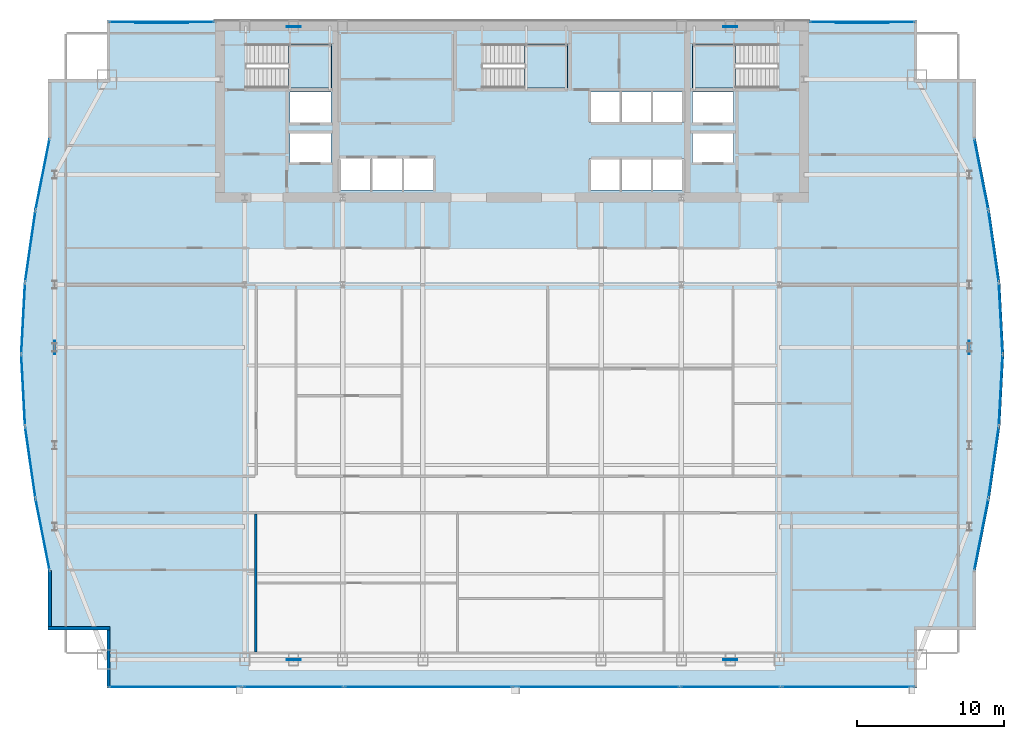
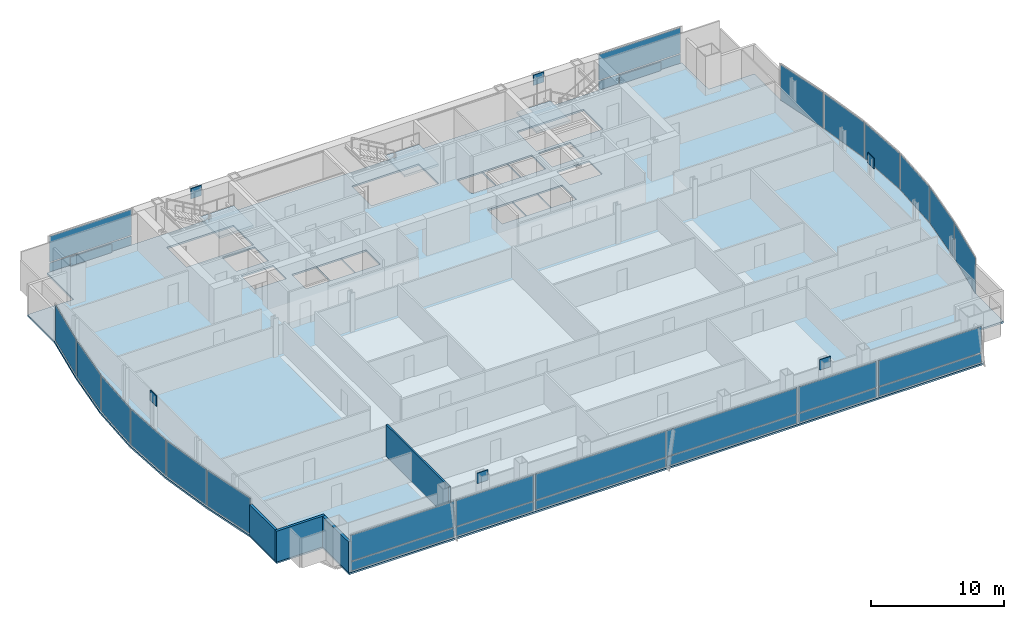
# One storey, part 23 of 29: 36 plates, 4 slabs, 4 walls, 22 elements without a shape of their own.
"""IFC4 building model written with IfcOpenShell, lengths in metres."""

from ifc_helpers import new_model, si_unit, direction, frame, frame_2d, origin, origin_2d, place, context, subcontext, project, spatial, polyline, rectangle, outline, extrude, material, layer, layer_set, type_object, element, aggregate, save


model = new_model("IFC4")

# Units and contexts
model_context = context("Model", 3, precision=1e-05, world=origin(), true_north=direction((0.0, 1.0)))
body_context = subcontext(model_context, "Body", "Model", "MODEL_VIEW")
ifc_project = project(units=[si_unit("LENGTHUNIT", "METRE"), si_unit("AREAUNIT", "SQUARE_METRE"), si_unit("VOLUMEUNIT", "CUBIC_METRE"), si_unit("PLANEANGLEUNIT", "RADIAN"), si_unit("MASSUNIT", "GRAM", prefix="KILO")], contexts=[model_context])

# Site, building, storey
site_placement = place(None, origin())
site = spatial("IfcSite", under=ifc_project, at=site_placement, CompositionType="ELEMENT")
building_placement = place(site_placement, origin())
building = spatial("IfcBuilding", under=site, at=building_placement, Name="Khoronbel Lancet Exchange", CompositionType="ELEMENT")
storey_placement = place(building_placement, frame((0.0, 0.0, 154.199951171875)))
storey = spatial("IfcBuildingStorey", under=building, at=storey_placement, Name="L38", CompositionType="ELEMENT", Elevation=154.199951171875)

# Curtain wall, plate
ifc_material_1 = material(Name="Low-E Solar Control Insulating Glass", Category="glass")
curtain_wall_type_1 = type_object("IfcCurtainWallType", Name="CW-4", PredefinedType="NOTDEFINED", material=ifc_material_1)
curtain_wall_1_placement = place(storey_placement, origin())
curtain_wall_1 = element("IfcCurtainWall", 1, at=curtain_wall_1_placement, inside=storey, type_object=curtain_wall_type_1, Name="Unitised curtain wall CW-L38-E05", PredefinedType="NOTDEFINED")
ifc_material_2 = material(Name="Bronze-Anodised Aluminium 6063-T6", Category="aluminium")
ifc_layer_1 = layer(ifc_material_2, 0.050048828125, Name="Bronze-Anodised Aluminium 6063-T6")
ifc_layer_set_1 = layer_set([ifc_layer_1], Name="Bronze-Anodised Aluminium 6063-T6")
plate_type_1 = type_object("IfcPlateType", Name="PLT-CSP1", PredefinedType="SHEET", material=ifc_layer_set_1)
plate_1_placement = place(storey_placement, frame((3.6142578125, 23.5869140625, 0.0849609375), z_axis=(0.0, 0.0, 1.0), x_axis=(-0.142930926147, 0.989732666103, 0.0)))
plate_1 = element("IfcPlate", 2, at=plate_1_placement, type_object=plate_type_1, Name="CW4 panel 1.1", PredefinedType="CURTAIN_PANEL", context=body_context, shape_type="SweptSolid", body=[
    extrude(rectangle(XDim=4.81103515625, YDim=0.0380859375, at=origin_2d()), origin(), (0.0, 0.0, 1.0), 3.27001953125),
])
aggregate(curtain_wall_1, [plate_1])

curtain_wall_2_placement = place(storey_placement, origin())
curtain_wall_2 = element("IfcCurtainWall", 3, at=curtain_wall_2_placement, inside=storey, type_object=curtain_wall_type_1, Name="Unitised curtain wall CW-L38-E06", PredefinedType="NOTDEFINED")
plate_2_placement = place(storey_placement, frame((3.1298828125, 28.49609375, 0.0849609375), z_axis=(0.0, 0.0, 1.0), x_axis=(-0.052800183936, 0.998605097412, 0.0)))
plate_2 = element("IfcPlate", 4, at=plate_2_placement, type_object=plate_type_1, Name="CW4 panel 1.1", PredefinedType="CURTAIN_PANEL", context=body_context, shape_type="SweptSolid", body=[
    extrude(rectangle(XDim=4.7646484375, YDim=0.0380859375, at=origin_2d()), origin(), (0.0, 0.0, 1.0), 3.27001953125),
])
aggregate(curtain_wall_2, [plate_2])

curtain_wall_3_placement = place(storey_placement, origin())
curtain_wall_3 = element("IfcCurtainWall", 5, at=curtain_wall_3_placement, inside=storey, type_object=curtain_wall_type_1, Name="Unitised curtain wall CW-L38-E07", PredefinedType="NOTDEFINED")
plate_3_placement = place(storey_placement, frame((3.1298828125, 33.404052734375, 0.0849609375), z_axis=(0.0, 0.0, 1.0), x_axis=(0.052800183936, 0.998605097412, 0.0)))
plate_3 = element("IfcPlate", 6, at=plate_3_placement, type_object=plate_type_1, Name="CW4 panel 1.1", PredefinedType="CURTAIN_PANEL", context=body_context, shape_type="SweptSolid", body=[
    extrude(rectangle(XDim=4.7646484375, YDim=0.0380859375, at=origin_2d()), origin(), (0.0, 0.0, 1.0), 3.27001953125),
])
aggregate(curtain_wall_3, [plate_3])

curtain_wall_4_placement = place(storey_placement, origin())
curtain_wall_4 = element("IfcCurtainWall", 7, at=curtain_wall_4_placement, inside=storey, type_object=curtain_wall_type_1, Name="Unitised curtain wall CW-L38-E08", PredefinedType="NOTDEFINED")
plate_4_placement = place(storey_placement, frame((3.6142578125, 38.31298828125, 0.0849609375), z_axis=(0.0, 0.0, 1.0), x_axis=(0.142930926147, 0.989732666103, 0.0)))
plate_4 = element("IfcPlate", 8, at=plate_4_placement, type_object=plate_type_1, Name="CW4 panel 1.1", PredefinedType="CURTAIN_PANEL", context=body_context, shape_type="SweptSolid", body=[
    extrude(rectangle(XDim=4.81103515625, YDim=0.0380859375, at=origin_2d()), origin(), (0.0, 0.0, 1.0), 3.27001953125),
])
aggregate(curtain_wall_4, [plate_4])

curtain_wall_type_2 = type_object("IfcCurtainWallType", Name="CW-3", PredefinedType="NOTDEFINED", material=ifc_material_1)
curtain_wall_5_placement = place(storey_placement, origin())
curtain_wall_5 = element("IfcCurtainWall", 9, at=curtain_wall_5_placement, inside=storey, type_object=curtain_wall_type_2, Name="Unitised curtain wall CW-L38-NWFLK", PredefinedType="NOTDEFINED")
plate_5_placement = place(storey_placement, frame((12.580078125, 53.550048828125, 0.0498046875), z_axis=(0.0, 0.0, 1.0), x_axis=(-1.0, 0.0, 0.0)))
plate_5 = element("IfcPlate", 10, at=plate_5_placement, type_object=plate_type_1, Name="Insulated bronze spandrel cassette CW-L38-NWFLK", PredefinedType="SHEET", context=body_context, shape_type="SweptSolid", body=[
    extrude(rectangle(XDim=3.60009765625, YDim=0.050048828125, at=origin_2d()), origin(), (0.0, 0.0, 1.0), 0.800048828125),
])

curtain_wall_6_placement = place(storey_placement, origin())
curtain_wall_6 = element("IfcCurtainWall", 11, at=curtain_wall_6_placement, inside=storey, type_object=curtain_wall_type_2, Name="Unitised curtain wall CW-L38-NEFLK", PredefinedType="NOTDEFINED")
plate_6_placement = place(storey_placement, frame((60.320068359375, 53.550048828125, 0.0498046875), z_axis=(0.0, 0.0, 1.0), x_axis=(-1.0, 0.0, 0.0)))
plate_6 = element("IfcPlate", 12, at=plate_6_placement, type_object=plate_type_1, Name="Insulated bronze spandrel cassette CW-L38-NEFLK", PredefinedType="SHEET", context=body_context, shape_type="SweptSolid", body=[
    extrude(rectangle(XDim=3.60009765625, YDim=0.050048828125, at=origin_2d()), origin(), (0.0, 0.0, 1.0), 0.800048828125),
])

curtain_wall_7_placement = place(storey_placement, origin())
curtain_wall_7 = element("IfcCurtainWall", 13, at=curtain_wall_7_placement, inside=storey, type_object=curtain_wall_type_1, Name="Unitised curtain wall CW-L38-E18", PredefinedType="NOTDEFINED")
plate_7_placement = place(storey_placement, frame((69.28564453125, 38.31298828125, 0.0849609375), z_axis=(0.0, 0.0, 1.0), x_axis=(0.142930926147, -0.989732666103, 0.0)))
plate_7 = element("IfcPlate", 14, at=plate_7_placement, type_object=plate_type_1, Name="CW4 panel 1.1", PredefinedType="CURTAIN_PANEL", context=body_context, shape_type="SweptSolid", body=[
    extrude(rectangle(XDim=4.81103515625, YDim=0.0380859375, at=origin_2d()), origin(), (0.0, 0.0, 1.0), 3.27001953125),
])
aggregate(curtain_wall_7, [plate_7])

curtain_wall_8_placement = place(storey_placement, origin())
curtain_wall_8 = element("IfcCurtainWall", 15, at=curtain_wall_8_placement, inside=storey, type_object=curtain_wall_type_1, Name="Unitised curtain wall CW-L38-E19", PredefinedType="NOTDEFINED")
plate_8_placement = place(storey_placement, frame((69.77001953125, 33.404052734375, 0.0849609375), z_axis=(0.0, 0.0, 1.0), x_axis=(0.052800183936, -0.998605097412, 0.0)))
plate_8 = element("IfcPlate", 16, at=plate_8_placement, type_object=plate_type_1, Name="CW4 panel 1.1", PredefinedType="CURTAIN_PANEL", context=body_context, shape_type="SweptSolid", body=[
    extrude(rectangle(XDim=4.7646484375, YDim=0.0380859375, at=origin_2d()), origin(), (0.0, 0.0, 1.0), 3.27001953125),
])
aggregate(curtain_wall_8, [plate_8])

curtain_wall_9_placement = place(storey_placement, origin())
curtain_wall_9 = element("IfcCurtainWall", 17, at=curtain_wall_9_placement, inside=storey, type_object=curtain_wall_type_1, Name="Unitised curtain wall CW-L38-E20", PredefinedType="NOTDEFINED")
plate_9_placement = place(storey_placement, frame((69.77001953125, 28.49609375, 0.0849609375), z_axis=(0.0, 0.0, 1.0), x_axis=(-0.052800183936, -0.998605097412, 0.0)))
plate_9 = element("IfcPlate", 18, at=plate_9_placement, type_object=plate_type_1, Name="CW4 panel 1.1", PredefinedType="CURTAIN_PANEL", context=body_context, shape_type="SweptSolid", body=[
    extrude(rectangle(XDim=4.7646484375, YDim=0.0380859375, at=origin_2d()), origin(), (0.0, 0.0, 1.0), 3.27001953125),
])
aggregate(curtain_wall_9, [plate_9])

curtain_wall_10_placement = place(storey_placement, origin())
curtain_wall_10 = element("IfcCurtainWall", 19, at=curtain_wall_10_placement, inside=storey, type_object=curtain_wall_type_1, Name="Unitised curtain wall CW-L38-E21", PredefinedType="NOTDEFINED")
plate_10_placement = place(storey_placement, frame((69.28564453125, 23.5869140625, 0.0849609375), z_axis=(0.0, 0.0, 1.0), x_axis=(-0.142930926147, -0.989732666103, 0.0)))
plate_10 = element("IfcPlate", 20, at=plate_10_placement, type_object=plate_type_1, Name="CW4 panel 1.1", PredefinedType="CURTAIN_PANEL", context=body_context, shape_type="SweptSolid", body=[
    extrude(rectangle(XDim=4.81103515625, YDim=0.0380859375, at=origin_2d()), origin(), (0.0, 0.0, 1.0), 3.27001953125),
])
aggregate(curtain_wall_10, [plate_10])

# Curtain wall, plates
curtain_wall_11_placement = place(storey_placement, origin())
curtain_wall_11 = element("IfcCurtainWall", 21, at=curtain_wall_11_placement, inside=storey, type_object=curtain_wall_type_2, Name="Unitised curtain wall CW-L38-SWB", PredefinedType="NOTDEFINED")
plate_11_placement = place(storey_placement, frame((21.550048828125, 8.2900390625, 0.0849609375), z_axis=(0.0, 0.0, 1.0), x_axis=(1.0, 0.0, 0.0)))
plate_11 = element("IfcPlate", 22, at=plate_11_placement, type_object=plate_type_1, Name="CW3 panel 1.1", PredefinedType="CURTAIN_PANEL", context=body_context, shape_type="SweptSolid", body=[
    extrude(rectangle(XDim=6.72998046875, YDim=0.0380859375, at=origin_2d()), origin(), (0.0, 0.0, 1.0), 0.822509765625),
])
plate_12_placement = place(storey_placement, frame((21.550048828125, 8.2900390625, 0.99267578125), z_axis=(0.0, 0.0, 1.0), x_axis=(1.0, 0.0, 0.0)))
plate_12 = element("IfcPlate", 23, at=plate_12_placement, type_object=plate_type_1, Name="CW3 panel 1.2", PredefinedType="CURTAIN_PANEL", context=body_context, shape_type="SweptSolid", body=[
    extrude(rectangle(XDim=6.72998046875, YDim=0.0380859375, at=origin_2d()), origin(), (0.0, 0.0, 1.0), 2.362548828125),
])
aggregate(curtain_wall_11, [plate_11, plate_12])

curtain_wall_12_placement = place(storey_placement, origin())
curtain_wall_12 = element("IfcCurtainWall", 24, at=curtain_wall_12_placement, inside=storey, type_object=curtain_wall_type_2, Name="Unitised curtain wall CW-L38-SEB", PredefinedType="NOTDEFINED")
plate_13_placement = place(storey_placement, frame((51.35009765625, 8.2900390625, 0.0849609375), z_axis=(0.0, 0.0, 1.0), x_axis=(1.0, 0.0, 0.0)))
plate_13 = element("IfcPlate", 25, at=plate_13_placement, type_object=plate_type_1, Name="CW3 panel 1.1", PredefinedType="CURTAIN_PANEL", context=body_context, shape_type="SweptSolid", body=[
    extrude(rectangle(XDim=6.72998046875, YDim=0.0380859375, at=origin_2d()), origin(), (0.0, 0.0, 1.0), 0.822509765625),
])
plate_14_placement = place(storey_placement, frame((51.35009765625, 8.2900390625, 0.99267578125), z_axis=(0.0, 0.0, 1.0), x_axis=(1.0, 0.0, 0.0)))
plate_14 = element("IfcPlate", 26, at=plate_14_placement, type_object=plate_type_1, Name="CW3 panel 1.2", PredefinedType="CURTAIN_PANEL", context=body_context, shape_type="SweptSolid", body=[
    extrude(rectangle(XDim=6.72998046875, YDim=0.0380859375, at=origin_2d()), origin(), (0.0, 0.0, 1.0), 2.362548828125),
])
aggregate(curtain_wall_12, [plate_13, plate_14])

# Plate
ifc_layer_2 = layer(ifc_material_1, 0.035888671875, Name="Low-E Solar Control Insulating Glass")
ifc_layer_set_2 = layer_set([ifc_layer_2], Name="Low-E Solar Control Insulating Glass")
plate_type_2 = type_object("IfcPlateType", Name="PLT-CWP1", PredefinedType="CURTAIN_PANEL", material=ifc_layer_set_2)
plate_15_placement = place(storey_placement, frame((12.580078125, 53.610107421875, 0.0849609375), z_axis=(0.0, 0.0, 1.0), x_axis=(-1.0, 0.0, 0.0)))
plate_15 = element("IfcPlate", 27, at=plate_15_placement, type_object=plate_type_2, Name="CW3 panel 1.1", PredefinedType="CURTAIN_PANEL", context=body_context, shape_type="SweptSolid", body=[
    extrude(rectangle(XDim=7.110107421875, YDim=0.0380859375, at=origin_2d()), origin(), (0.0, 0.0, 1.0), 0.822509765625),
])

plate_16_placement = place(storey_placement, frame((12.580078125, 53.610107421875, 0.99267578125), z_axis=(0.0, 0.0, 1.0), x_axis=(-1.0, 0.0, 0.0)))
plate_16 = element("IfcPlate", 28, at=plate_16_placement, type_object=plate_type_2, Name="CW3 panel 1.2", PredefinedType="CURTAIN_PANEL", context=body_context, shape_type="SweptSolid", body=[
    extrude(rectangle(XDim=7.110107421875, YDim=0.0380859375, at=origin_2d()), origin(), (0.0, 0.0, 1.0), 2.362548828125),
])

aggregate(curtain_wall_5, [plate_15, plate_16, plate_5])

plate_17_placement = place(storey_placement, frame((60.320068359375, 53.610107421875, 0.0849609375), z_axis=(0.0, 0.0, 1.0), x_axis=(-1.0, 0.0, 0.0)))
plate_17 = element("IfcPlate", 29, at=plate_17_placement, type_object=plate_type_2, Name="CW3 panel 1.1", PredefinedType="CURTAIN_PANEL", context=body_context, shape_type="SweptSolid", body=[
    extrude(rectangle(XDim=7.110107421875, YDim=0.0380859375, at=origin_2d()), origin(), (0.0, 0.0, 1.0), 0.822509765625),
])

plate_18_placement = place(storey_placement, frame((60.320068359375, 53.610107421875, 0.99267578125), z_axis=(0.0, 0.0, 1.0), x_axis=(-1.0, 0.0, 0.0)))
plate_18 = element("IfcPlate", 30, at=plate_18_placement, type_object=plate_type_2, Name="CW3 panel 1.2", PredefinedType="CURTAIN_PANEL", context=body_context, shape_type="SweptSolid", body=[
    extrude(rectangle(XDim=7.110107421875, YDim=0.0380859375, at=origin_2d()), origin(), (0.0, 0.0, 1.0), 2.362548828125),
])

aggregate(curtain_wall_6, [plate_17, plate_18, plate_6])

# Curtain wall, plates
curtain_wall_13_placement = place(storey_placement, origin())
curtain_wall_13 = element("IfcCurtainWall", 31, at=curtain_wall_13_placement, inside=storey, type_object=curtain_wall_type_2, Name="Unitised curtain wall CW-L38-SWV", PredefinedType="NOTDEFINED")
plate_19_placement = place(storey_placement, frame((13.52001953125, 8.2900390625, 0.0849609375), z_axis=(0.0, 0.0, 1.0), x_axis=(1.0, 0.0, 0.0)))
plate_19 = element("IfcPlate", 32, at=plate_19_placement, type_object=plate_type_2, Name="CW3 panel 1.1", PredefinedType="CURTAIN_PANEL", context=body_context, shape_type="SweptSolid", body=[
    extrude(rectangle(XDim=8.989990234375, YDim=0.0380859375, at=origin_2d()), origin(), (0.0, 0.0, 1.0), 0.822509765625),
])
plate_20_placement = place(storey_placement, frame((13.52001953125, 8.2900390625, 0.99267578125), z_axis=(0.0, 0.0, 1.0), x_axis=(1.0, 0.0, 0.0)))
plate_20 = element("IfcPlate", 33, at=plate_20_placement, type_object=plate_type_2, Name="CW3 panel 1.2", PredefinedType="CURTAIN_PANEL", context=body_context, shape_type="SweptSolid", body=[
    extrude(rectangle(XDim=8.989990234375, YDim=0.0380859375, at=origin_2d()), origin(), (0.0, 0.0, 1.0), 2.362548828125),
])
aggregate(curtain_wall_13, [plate_19, plate_20])

curtain_wall_14_placement = place(storey_placement, origin())
curtain_wall_14 = element("IfcCurtainWall", 34, at=curtain_wall_14_placement, inside=storey, type_object=curtain_wall_type_2, Name="Unitised curtain wall CW-L38-SCV", PredefinedType="NOTDEFINED")
plate_21_placement = place(storey_placement, frame((30.746337890625, 8.2900390625, 0.0849609375), z_axis=(0.0, 0.0, 1.0), x_axis=(1.0, 0.0, 0.0)))
plate_21 = element("IfcPlate", 35, at=plate_21_placement, type_object=plate_type_2, Name="CW3 panel 1.1", PredefinedType="CURTAIN_PANEL", context=body_context, shape_type="SweptSolid", body=[
    extrude(rectangle(XDim=11.322509765625, YDim=0.0380859375, at=origin_2d()), origin(), (0.0, 0.0, 1.0), 0.822509765625),
])
plate_22_placement = place(storey_placement, frame((30.746337890625, 8.2900390625, 0.99267578125), z_axis=(0.0, 0.0, 1.0), x_axis=(1.0, 0.0, 0.0)))
plate_22 = element("IfcPlate", 36, at=plate_22_placement, type_object=plate_type_2, Name="CW3 panel 1.2", PredefinedType="CURTAIN_PANEL", context=body_context, shape_type="SweptSolid", body=[
    extrude(rectangle(XDim=11.322509765625, YDim=0.0380859375, at=origin_2d()), origin(), (0.0, 0.0, 1.0), 2.362548828125),
])
plate_23_placement = place(storey_placement, frame((42.15380859375, 8.2900390625, 0.0849609375), z_axis=(0.0, 0.0, 1.0), x_axis=(1.0, 0.0, 0.0)))
plate_23 = element("IfcPlate", 37, at=plate_23_placement, type_object=plate_type_2, Name="CW3 panel 2.1", PredefinedType="CURTAIN_PANEL", context=body_context, shape_type="SweptSolid", body=[
    extrude(rectangle(XDim=11.322509765625, YDim=0.0380859375, at=origin_2d()), origin(), (0.0, 0.0, 1.0), 0.822509765625),
])
plate_24_placement = place(storey_placement, frame((42.15380859375, 8.2900390625, 0.99267578125), z_axis=(0.0, 0.0, 1.0), x_axis=(1.0, 0.0, 0.0)))
plate_24 = element("IfcPlate", 38, at=plate_24_placement, type_object=plate_type_2, Name="CW3 panel 2.2", PredefinedType="CURTAIN_PANEL", context=body_context, shape_type="SweptSolid", body=[
    extrude(rectangle(XDim=11.322509765625, YDim=0.0380859375, at=origin_2d()), origin(), (0.0, 0.0, 1.0), 2.362548828125),
])
aggregate(curtain_wall_14, [plate_21, plate_22, plate_23, plate_24])

curtain_wall_15_placement = place(storey_placement, origin())
curtain_wall_15 = element("IfcCurtainWall", 39, at=curtain_wall_15_placement, inside=storey, type_object=curtain_wall_type_2, Name="Unitised curtain wall CW-L38-SEV", PredefinedType="NOTDEFINED")
plate_25_placement = place(storey_placement, frame((59.3798828125, 8.2900390625, 0.0849609375), z_axis=(0.0, 0.0, 1.0), x_axis=(1.0, 0.0, 0.0)))
plate_25 = element("IfcPlate", 40, at=plate_25_placement, type_object=plate_type_2, Name="CW3 panel 1.1", PredefinedType="CURTAIN_PANEL", context=body_context, shape_type="SweptSolid", body=[
    extrude(rectangle(XDim=8.989990234375, YDim=0.0380859375, at=origin_2d()), origin(), (0.0, 0.0, 1.0), 0.822509765625),
])
plate_26_placement = place(storey_placement, frame((59.3798828125, 8.2900390625, 0.99267578125), z_axis=(0.0, 0.0, 1.0), x_axis=(1.0, 0.0, 0.0)))
plate_26 = element("IfcPlate", 41, at=plate_26_placement, type_object=plate_type_2, Name="CW3 panel 1.2", PredefinedType="CURTAIN_PANEL", context=body_context, shape_type="SweptSolid", body=[
    extrude(rectangle(XDim=8.989990234375, YDim=0.0380859375, at=origin_2d()), origin(), (0.0, 0.0, 1.0), 2.362548828125),
])
aggregate(curtain_wall_15, [plate_25, plate_26])

# Curtain wall, plate
curtain_wall_16_placement = place(storey_placement, origin())
curtain_wall_16 = element("IfcCurtainWall", 42, at=curtain_wall_16_placement, inside=storey, type_object=curtain_wall_type_1, Name="Unitised curtain wall CW-L38-E04", PredefinedType="NOTDEFINED")
ifc_material_3 = material(Name="Ceramic-Fritted Laminated Insulating Glass", Category="glass")
ifc_layer_3 = layer(ifc_material_3, 0.0419921875, Name="Ceramic-Fritted Laminated Insulating Glass")
ifc_layer_set_3 = layer_set([ifc_layer_3], Name="Ceramic-Fritted Laminated Insulating Glass")
plate_type_3 = type_object("IfcPlateType", Name="PLT-CWP2", PredefinedType="CURTAIN_PANEL", material=ifc_layer_set_3)
plate_27_placement = place(storey_placement, frame((4.454345703125, 18.67041015625, 0.0849609375), z_axis=(0.0, 0.0, 1.0), x_axis=(-0.193543939735, 0.981091608053, 0.0)))
plate_27 = element("IfcPlate", 43, at=plate_27_placement, type_object=plate_type_3, Name="CW4 panel 1.1", PredefinedType="CURTAIN_PANEL", context=body_context, shape_type="SweptSolid", body=[
    extrude(rectangle(XDim=4.867919921875, YDim=0.0380859375, at=origin_2d()), origin(), (0.0, 0.0, 1.0), 3.27001953125),
])
aggregate(curtain_wall_16, [plate_27])

curtain_wall_17_placement = place(storey_placement, origin())
curtain_wall_17 = element("IfcCurtainWall", 44, at=curtain_wall_17_placement, inside=storey, type_object=curtain_wall_type_1, Name="Unitised curtain wall CW-L38-E09", PredefinedType="NOTDEFINED")
plate_28_placement = place(storey_placement, frame((4.454345703125, 43.229736328125, 0.0849609375), z_axis=(0.0, 0.0, 1.0), x_axis=(0.193543939735, 0.981091608053, 0.0)))
plate_28 = element("IfcPlate", 45, at=plate_28_placement, type_object=plate_type_3, Name="CW4 panel 1.1", PredefinedType="CURTAIN_PANEL", context=body_context, shape_type="SweptSolid", body=[
    extrude(rectangle(XDim=4.867919921875, YDim=0.0380859375, at=origin_2d()), origin(), (0.0, 0.0, 1.0), 3.27001953125),
])
aggregate(curtain_wall_17, [plate_28])

curtain_wall_18_placement = place(storey_placement, origin())
curtain_wall_18 = element("IfcCurtainWall", 46, at=curtain_wall_18_placement, inside=storey, type_object=curtain_wall_type_1, Name="Unitised curtain wall CW-L38-E17", PredefinedType="NOTDEFINED")
plate_29_placement = place(storey_placement, frame((68.445556640625, 43.229736328125, 0.0849609375), z_axis=(0.0, 0.0, 1.0), x_axis=(0.193543939735, -0.981091608053, 0.0)))
plate_29 = element("IfcPlate", 47, at=plate_29_placement, type_object=plate_type_3, Name="CW4 panel 1.1", PredefinedType="CURTAIN_PANEL", context=body_context, shape_type="SweptSolid", body=[
    extrude(rectangle(XDim=4.867919921875, YDim=0.0380859375, at=origin_2d()), origin(), (0.0, 0.0, 1.0), 3.27001953125),
])
aggregate(curtain_wall_18, [plate_29])

curtain_wall_19_placement = place(storey_placement, origin())
curtain_wall_19 = element("IfcCurtainWall", 48, at=curtain_wall_19_placement, inside=storey, type_object=curtain_wall_type_1, Name="Unitised curtain wall CW-L38-E22", PredefinedType="NOTDEFINED")
plate_30_placement = place(storey_placement, frame((68.445556640625, 18.67041015625, 0.0849609375), z_axis=(0.0, 0.0, 1.0), x_axis=(-0.193543939735, -0.981091608053, 0.0)))
plate_30 = element("IfcPlate", 49, at=plate_30_placement, type_object=plate_type_3, Name="CW4 panel 1.1", PredefinedType="CURTAIN_PANEL", context=body_context, shape_type="SweptSolid", body=[
    extrude(rectangle(XDim=4.867919921875, YDim=0.0380859375, at=origin_2d()), origin(), (0.0, 0.0, 1.0), 3.27001953125),
])
aggregate(curtain_wall_19, [plate_30])

# Plates
ifc_material_4 = material(Name="Steel S460", Category="steel")
ifc_layer_4 = layer(ifc_material_4, 0.06005859375, Name="Steel S460")
ifc_layer_set_4 = layer_set([ifc_layer_4], Name="Steel S460")
plate_type_4 = type_object("IfcPlateType", Name="PLT-ND2", PredefinedType="USERDEFINED", material=ifc_layer_set_4)
for number, where, z_axis, x_axis, name in (
    (50, (21.5625, 10.14990234375, 2.77490234375), (0.0, 0.0, 1.0), (1.0, 0.0, 0.0), "ND2 perimeter brace node gusset T12-S-W"),
    (51, (51.33740234375, 10.14990234375, 2.77490234375), (0.0, 0.0, 1.0), (1.0, 0.0, 0.0), "ND2 perimeter brace node gusset T12-S-E"),
    (52, (21.5625, 53.280029296875, 2.77490234375), (0.0, 0.0, 1.0), (1.0, 0.0, 0.0), "ND2 perimeter brace node gusset T12-N-W"),
    (53, (51.33740234375, 53.280029296875, 2.77490234375), (0.0, 0.0, 1.0), (1.0, 0.0, 0.0), "ND2 perimeter brace node gusset T12-N-E"),
    (54, (5.27001953125, 31.425048828125, 2.77490234375), (0.0, 0.0, 1.0), (0.0, 1.0, 0.0), "ND2 perimeter brace node gusset T12-W-P"),
    (55, (67.6298828125, 31.425048828125, 2.77490234375), (0.0, 0.0, 1.0), (0.0, 1.0, 0.0), "ND2 perimeter brace node gusset T12-E-P"),
):
    element("IfcPlate", number, at=place(storey_placement, frame(where, z_axis=z_axis, x_axis=x_axis)), inside=storey, type_object=plate_type_4, Name=name, ObjectType="GUSSET_PLATE", PredefinedType="USERDEFINED", context=body_context, shape_type="SweptSolid", body=[
        extrude(rectangle(XDim=0.949951171875, YDim=0.06005859375, at=origin_2d()), origin(), (0.0, 0.0, 1.0), 0.949951171875),
    ])

# Slab
ifc_material_5 = material(Name="Concrete C40/50", Category="concrete")
ifc_layer_5 = layer(ifc_material_5, 0.159912109375, Name="Concrete C40/50")
ifc_layer_set_5 = layer_set([ifc_layer_5], Name="Concrete C40/50")
slab_type_1 = type_object("IfcSlabType", Name="SL-FL160", PredefinedType="FLOOR", material=ifc_layer_set_5)
slab_1_placement = place(storey_placement, frame((0.0, 0.0, -0.159912109375)))
element("IfcSlab", 56, at=slab_1_placement, inside=storey, type_object=slab_type_1, Name="Level L38 composite structural floor slab", PredefinedType="FLOOR", context=body_context, shape_type="SweptSolid", body=[
    extrude(outline(polyline([(8.85009765625, 8.199951171875), (64.050048828125, 8.199951171875), (64.050048828125, 12.199951171875), (68.050048828125, 12.199951171875), (68.050048828125, 16.199951171875), (69.02001953125, 21.11669921875), (69.72998046875, 26.033203125), (69.989990234375, 30.949951171875), (69.72998046875, 35.86669921875), (69.02001953125, 40.783203125), (68.050048828125, 45.699951171875), (68.050048828125, 49.699951171875), (64.050048828125, 49.699951171875), (64.050048828125, 53.699951171875), (8.85009765625, 53.699951171875), (8.85009765625, 49.699951171875), (4.85009765625, 49.699951171875), (4.85009765625, 45.699951171875), (3.880126953125, 40.783203125), (3.169921875, 35.86669921875), (2.91015625, 30.949951171875), (3.169921875, 26.033203125), (3.880126953125, 21.11669921875), (4.85009765625, 16.199951171875), (4.85009765625, 12.199951171875), (8.85009765625, 12.199951171875), (8.85009765625, 8.199951171875)]), holes=[polyline([(18.324951171875, 49.1201171875), (24.14990234375, 49.1201171875), (24.14990234375, 52.10009765625), (18.324951171875, 52.10009765625), (18.324951171875, 49.1201171875)]), polyline([(48.75, 49.1201171875), (54.574951171875, 49.1201171875), (54.574951171875, 52.10009765625), (48.75, 52.10009765625), (48.75, 49.1201171875)]), polyline([(34.425048828125, 49.1201171875), (40.25, 49.1201171875), (40.25, 52.10009765625), (34.425048828125, 52.10009765625), (34.425048828125, 49.1201171875)]), polyline([(24.699951171875, 42.14990234375), (26.840087890625, 42.14990234375), (26.840087890625, 44.300048828125), (24.699951171875, 44.300048828125), (24.699951171875, 42.14990234375)]), polyline([(26.860107421875, 42.14990234375), (29.0, 42.14990234375), (29.0, 44.300048828125), (26.860107421875, 44.300048828125), (26.860107421875, 42.14990234375)]), polyline([(29.02001953125, 42.14990234375), (31.159912109375, 42.14990234375), (31.159912109375, 44.300048828125), (29.02001953125, 44.300048828125), (29.02001953125, 42.14990234375)]), polyline([(41.739990234375, 46.75), (43.8798828125, 46.75), (43.8798828125, 48.85009765625), (41.739990234375, 48.85009765625), (41.739990234375, 46.75)]), polyline([(43.89990234375, 46.75), (46.0400390625, 46.75), (46.0400390625, 48.85009765625), (43.89990234375, 48.85009765625), (43.89990234375, 46.75)]), polyline([(46.06005859375, 46.75), (48.199951171875, 46.75), (48.199951171875, 48.85009765625), (46.06005859375, 48.85009765625), (46.06005859375, 46.75)]), polyline([(41.739990234375, 42.14990234375), (43.8798828125, 42.14990234375), (43.8798828125, 44.300048828125), (41.739990234375, 44.300048828125), (41.739990234375, 42.14990234375)]), polyline([(43.89990234375, 42.14990234375), (46.0400390625, 42.14990234375), (46.0400390625, 44.300048828125), (43.89990234375, 44.300048828125), (43.89990234375, 42.14990234375)]), polyline([(46.06005859375, 42.14990234375), (48.199951171875, 42.14990234375), (48.199951171875, 44.300048828125), (46.06005859375, 44.300048828125), (46.06005859375, 42.14990234375)]), polyline([(21.300048828125, 46.75), (24.10009765625, 46.75), (24.10009765625, 48.85009765625), (21.300048828125, 48.85009765625), (21.300048828125, 46.75)]), polyline([(48.75, 46.75), (51.550048828125, 46.75), (51.550048828125, 48.85009765625), (48.75, 48.85009765625), (48.75, 46.75)]), polyline([(21.300048828125, 44.050048828125), (24.10009765625, 44.050048828125), (24.10009765625, 46.050048828125), (21.300048828125, 46.050048828125), (21.300048828125, 44.050048828125)]), polyline([(48.75, 44.050048828125), (51.550048828125, 44.050048828125), (51.550048828125, 46.050048828125), (48.75, 46.050048828125), (48.75, 44.050048828125)])]), origin(), (0.0, 0.0, 1.0), 0.159912109375),
])

# Stair, slab
stair_type = type_object("IfcStairType", Name="STR-CORE150", PredefinedType="HALF_TURN_STAIR", material=ifc_material_5)
stair_1_placement = place(storey_placement, origin())
stair_1 = element("IfcStair", 57, at=stair_1_placement, inside=storey, type_object=stair_type, Name="L38 Protected Exit Stair ST1", PredefinedType="HALF_TURN_STAIR")
ifc_layer_6 = layer(ifc_material_5, 0.199951171875, Name="Concrete C40/50")
ifc_layer_set_6 = layer_set([ifc_layer_6], Name="Concrete C40/50")
slab_type_2 = type_object("IfcSlabType", Name="SL-LND180", PredefinedType="LANDING", material=ifc_layer_set_6)
slab_2_placement = place(storey_placement, frame((0.0, 0.0, 1.60009765625)))
slab_2 = element("IfcSlab", 58, at=slab_2_placement, type_object=slab_type_2, Name="ST1 landing 1", PredefinedType="LANDING", context=body_context, shape_type="SweptSolid", body=[
    extrude(outline(polyline([(21.199951171875, 49.1201171875), (24.14990234375, 49.1201171875), (24.14990234375, 52.10009765625), (21.199951171875, 52.10009765625), (21.199951171875, 49.1201171875)])), origin(), (0.0, 0.0, 1.0), 0.199951171875),
])
aggregate(stair_1, [slab_2])

stair_2_placement = place(storey_placement, origin())
stair_2 = element("IfcStair", 59, at=stair_2_placement, inside=storey, type_object=stair_type, Name="L38 Protected Exit Stair ST2", PredefinedType="HALF_TURN_STAIR")
slab_3_placement = place(storey_placement, frame((0.0, 0.0, 1.60009765625)))
slab_3 = element("IfcSlab", 60, at=slab_3_placement, type_object=slab_type_2, Name="ST2 landing 1", PredefinedType="LANDING", context=body_context, shape_type="SweptSolid", body=[
    extrude(outline(polyline([(51.699951171875, 52.10009765625), (48.75, 52.10009765625), (48.75, 49.1201171875), (51.699951171875, 49.1201171875), (51.699951171875, 52.10009765625)])), origin(), (0.0, 0.0, 1.0), 0.199951171875),
])
aggregate(stair_2, [slab_3])

stair_3_placement = place(storey_placement, origin())
stair_3 = element("IfcStair", 61, at=stair_3_placement, inside=storey, type_object=stair_type, Name="L38 Protected Exit Stair ST3", PredefinedType="HALF_TURN_STAIR")
slab_4_placement = place(storey_placement, frame((0.0, 0.0, 1.60009765625)))
slab_4 = element("IfcSlab", 62, at=slab_4_placement, type_object=slab_type_2, Name="ST3 landing 1", PredefinedType="LANDING", context=body_context, shape_type="SweptSolid", body=[
    extrude(outline(polyline([(37.300048828125, 49.1201171875), (40.25, 49.1201171875), (40.25, 52.10009765625), (37.300048828125, 52.10009765625), (37.300048828125, 49.1201171875)])), origin(), (0.0, 0.0, 1.0), 0.199951171875),
])
aggregate(stair_3, [slab_4])

# Walls
ifc_material_6 = material(Name="Precast concrete C40/50", Category="concrete")
ifc_layer_7 = layer(ifc_material_6, 0.25, Name="Precast concrete C40/50")
ifc_layer_set_7 = layer_set([ifc_layer_7], Name="Precast concrete C40/50")
wall_type_1 = type_object("IfcWallType", Name="WL-EXT250", PredefinedType="SOLIDWALL", material=ifc_layer_set_7)
wall_1_placement = place(storey_placement, frame((8.93994140625, 8.27001953125, 0.0), z_axis=(0.0, 0.0, 1.0), x_axis=(0.0, 1.0, 0.0)))
element("IfcWall", 63, at=wall_1_placement, inside=storey, type_object=wall_type_1, Name="Level L38 notched-corner limestone pier 01", PredefinedType="SOLIDWALL", context=body_context, shape_type="SweptSolid", body=[
    extrude(rectangle(XDim=3.909912109375, YDim=0.219970703125, at=frame_2d((1.955078125, 0.0))), origin(), (0.0, 0.0, 1.0), 2.830078125),
])
wall_2_placement = place(storey_placement, frame((9.050048828125, 12.2900390625, 0.0), z_axis=(0.0, 0.0, 1.0), x_axis=(-1.0, 0.0, 0.0)))
element("IfcWall", 64, at=wall_2_placement, inside=storey, type_object=wall_type_1, Name="Level L38 notched-corner limestone pier 02", PredefinedType="SOLIDWALL", context=body_context, shape_type="SweptSolid", body=[
    extrude(rectangle(XDim=4.219970703125, YDim=0.219970703125, at=frame_2d((2.10986328125, 0.0))), origin(), (0.0, 0.0, 1.0), 2.830078125),
])
wall_3_placement = place(storey_placement, frame((4.93994140625, 12.39990234375, 0.0), z_axis=(0.0, 0.0, 1.0), x_axis=(0.0, 1.0, 0.0)))
element("IfcWall", 65, at=wall_3_placement, inside=storey, type_object=wall_type_1, Name="Level L38 notched-corner limestone pier 03", PredefinedType="SOLIDWALL", context=body_context, shape_type="SweptSolid", body=[
    extrude(rectangle(XDim=3.828857421875, YDim=0.219970703125, at=frame_2d((1.91455078125, 0.0))), origin(), (0.0, 0.0, 1.0), 2.830078125),
])
ifc_material_7 = material(Name="Fire-Rated Twin-Stud Acoustic Gypsum Partition 150 mm", Category="gypsum")
ifc_layer_8 = layer(ifc_material_7, 0.14990234375, Name="Fire-Rated Twin-Stud Acoustic Gypsum Partition 150 mm")
ifc_layer_set_8 = layer_set([ifc_layer_8], Name="Fire-Rated Twin-Stud Acoustic Gypsum Partition 150 mm")
wall_type_2 = type_object("IfcWallType", Name="WL-PRT150C", PredefinedType="PARTITIONING", material=ifc_layer_set_8)
wall_4_placement = place(storey_placement, frame((18.986083984375, 10.6650390625, 0.0), z_axis=(0.0, 0.0, 1.0), x_axis=(0.0, 1.0, 0.0)))
element("IfcWall", 66, at=wall_4_placement, inside=storey, type_object=wall_type_2, Name="Level L38 interior partition PW-Z2S-V1", PredefinedType="PARTITIONING", context=body_context, shape_type="SweptSolid", body=[
    extrude(rectangle(XDim=9.39990234375, YDim=0.14990234375, at=frame_2d((4.699951171875, 0.0))), origin(), (0.0, 0.0, 1.0), 2.929931640625),
])

save(model, "model.ifc")
